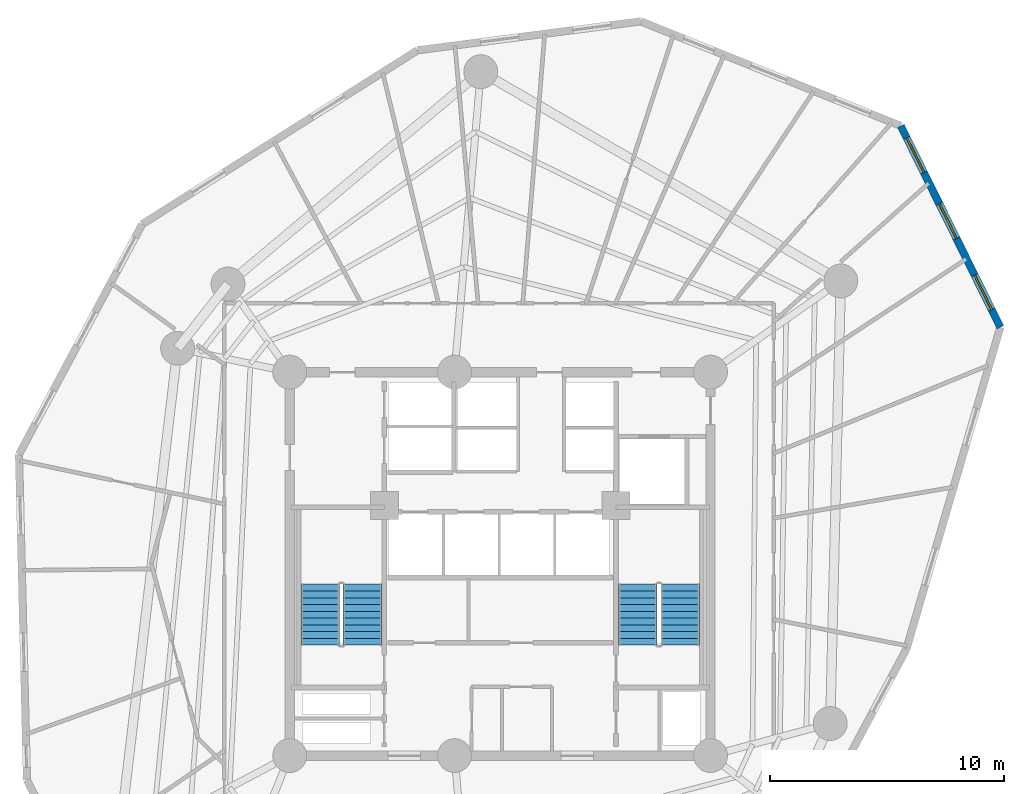
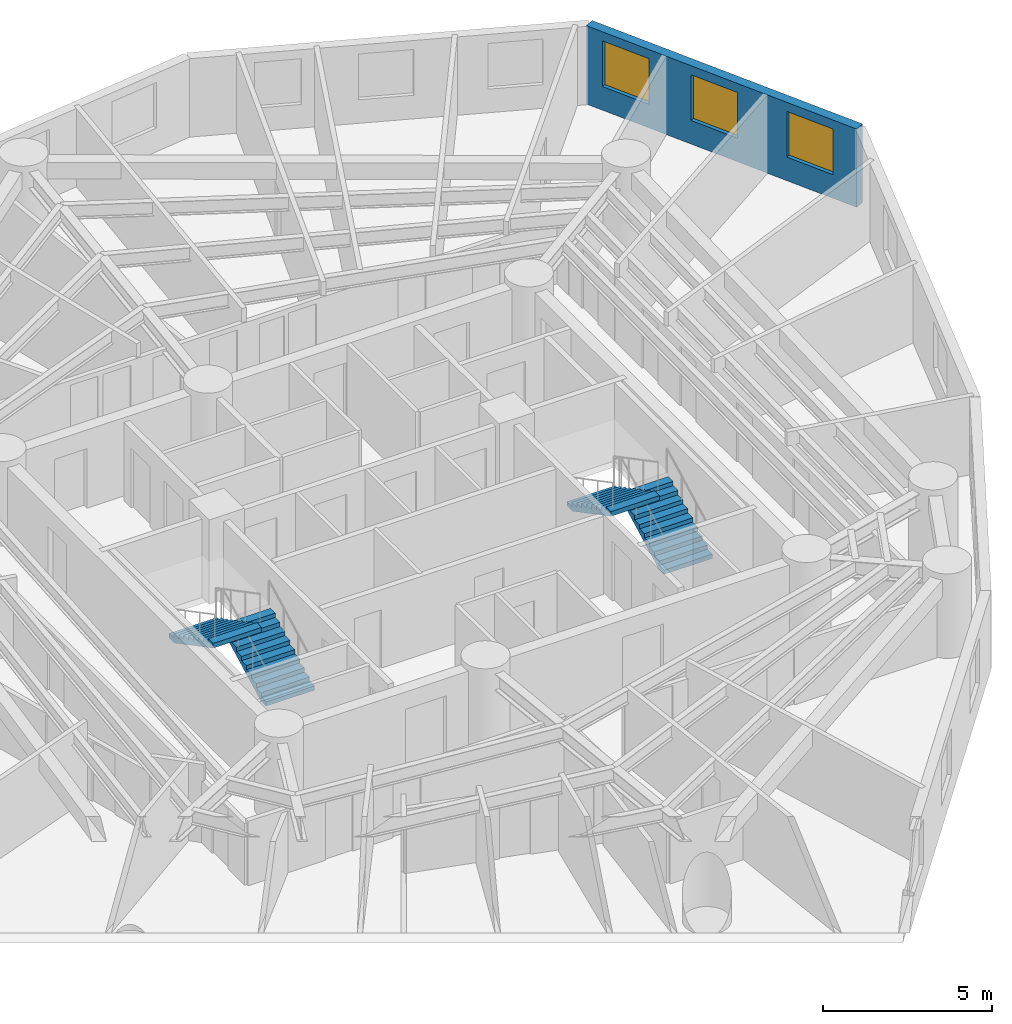
# One storey, part 7 of 8: 4 stair flights, 3 windows, 1 wall, 3 openings, 2 elements without a shape of their own.
"""IFC4 building model written with IfcOpenShell, lengths in metres."""

from ifc_helpers import new_model, si_unit, direction, frame, frame_2d, origin, origin_with_axes, place, context, subcontext, project, spatial, polyline, rectangle, outline, extrude, source, transform, mapped, material, layer, layer_set, type_object, element, fill, aggregate, save


model = new_model("IFC4")

# Units and contexts
model_context = context("Model", 3, precision=1e-05, world=origin(), true_north=direction((0.0, 1.0)))
body_context = subcontext(model_context, "Body", "Model", "MODEL_VIEW")
ifc_project = project(units=[si_unit("LENGTHUNIT", "METRE"), si_unit("AREAUNIT", "SQUARE_METRE"), si_unit("VOLUMEUNIT", "CUBIC_METRE"), si_unit("PLANEANGLEUNIT", "RADIAN"), si_unit("MASSUNIT", "GRAM", prefix="KILO")], contexts=[model_context])

# Site, building, storey
site_placement = place(None, origin())
site = spatial("IfcSite", under=ifc_project, at=site_placement, CompositionType="ELEMENT")
building_placement = place(site_placement, origin())
building = spatial("IfcBuilding", under=site, at=building_placement, Name="Karkom Vertical University and Central Library", CompositionType="ELEMENT")
storey_placement = place(building_placement, frame((0.0, 0.0, 117.550048828125)))
storey = spatial("IfcBuildingStorey", under=building, at=storey_placement, Name="L32", CompositionType="ELEMENT", Elevation=117.550048828125)

# Wall, openings, windows
ifc_material_1 = material(Name="Brick-faced precast concrete C45/55", Category="masonry")
ifc_layer = layer(ifc_material_1, 0.320068359375)
ifc_layer_set = layer_set([ifc_layer], Name="Brick-faced precast concrete C45/55")
wall_type = type_object("IfcWallType", Name="ENV-WL-BRK-320", PredefinedType="SOLIDWALL", material=ifc_layer_set)
wall_placement = place(storey_placement, frame((49.8955078125, 36.6201171875, 0.0), z_axis=(0.0, 0.0, 1.0), x_axis=(-0.443101896888, 0.896471253847, 0.0)))
wall = element("IfcWall", 1, at=wall_placement, inside=storey, type_object=wall_type, Name="Level 32 Brick-Faced Precast Facade Wall 09", PredefinedType="SOLIDWALL", context=body_context, shape_type="SweptSolid", body=[
    extrude(rectangle(XDim=9.6064453125, YDim=0.320068359375, at=frame_2d((4.80322265625, 0.0))), origin(), (0.0, 0.0, 1.0), 2.824951171875),
])
opening_1_placement = place(wall_placement, frame((0.834228515625, 0.0, 0.85009765625)))
opening_1 = element("IfcOpeningElement", 2, at=opening_1_placement, cuts=wall, Name="Opening WN-06", PredefinedType="OPENING", context=body_context, shape_type="SweptSolid", body=[
    extrude(rectangle(XDim=1.64990234375, YDim=1.64990234375, at=frame_2d((0.824951171875, 0.824951171875))), frame((0.0, 0.169921875, 0.0), z_axis=(0.0, -1.0, 0.0), x_axis=(1.0, 0.0, 0.0)), (0.0, 0.0, 1.0), 0.340087890625),
])
opening_2_placement = place(wall_placement, frame((4.239013671875, 0.0, 0.85009765625)))
opening_2 = element("IfcOpeningElement", 3, at=opening_2_placement, cuts=wall, Name="Opening WN-06", PredefinedType="OPENING", context=body_context, shape_type="SweptSolid", body=[
    extrude(rectangle(XDim=1.64990234375, YDim=1.64990234375, at=frame_2d((0.824951171875, 0.824951171875))), frame((0.0, 0.169921875, 0.0), z_axis=(0.0, -1.0, 0.0), x_axis=(1.0, 0.0, 0.0)), (0.0, 0.0, 1.0), 0.340087890625),
])
opening_3_placement = place(wall_placement, frame((7.3828125, 0.0, 0.85009765625)))
opening_3 = element("IfcOpeningElement", 4, at=opening_3_placement, cuts=wall, Name="Opening WN-06", PredefinedType="OPENING", context=body_context, shape_type="SweptSolid", body=[
    extrude(rectangle(XDim=1.64990234375, YDim=1.64990234375, at=frame_2d((0.824951171875, 0.824951171875))), frame((0.0, 0.169921875, 0.0), z_axis=(0.0, -1.0, 0.0), x_axis=(1.0, 0.0, 0.0)), (0.0, 0.0, 1.0), 0.340087890625),
])
ifc_material_2 = material(Name="Aluminium thermal-break frame with solar-control IGU", Category="aluminium")
window_type = type_object("IfcWindowType", Name="ENV-WIN-WN-06", PartitioningType="SINGLE_PANEL", PredefinedType="WINDOW", material=ifc_material_2)
shared_shape = source(origin_with_axes(), body_context, "Body", "SweptSolid", [
    extrude(rectangle(XDim=1.64990234375, YDim=1.64990234375, at=frame_2d((0.824951171875, 0.824951171875))), frame((0.0, 0.030029296875, 0.0), z_axis=(0.0, -1.0, 0.0), x_axis=(1.0, 0.0, 0.0)), (0.0, 0.0, 1.0), 0.06005859375),
])
window_1_placement = place(opening_1_placement, origin())
window_1 = element("IfcWindow", 5, at=window_1_placement, inside=storey, type_object=window_type, Name="Level 32 Punched Window 9.1", OverallHeight=1.64990234375, OverallWidth=1.64990234375, PartitioningType="SINGLE_PANEL", PredefinedType="WINDOW", context=body_context, shape_type="MappedRepresentation", body=[
    mapped(shared_shape, transform((0.0, 0.0, 0.0), scale=1.0)),
])
fill(opening_1, window_1)
window_2_placement = place(opening_2_placement, origin())
window_2 = element("IfcWindow", 6, at=window_2_placement, inside=storey, type_object=window_type, Name="Level 32 Punched Window 9.2", OverallHeight=1.64990234375, OverallWidth=1.64990234375, PartitioningType="SINGLE_PANEL", PredefinedType="WINDOW", context=body_context, shape_type="MappedRepresentation", body=[
    mapped(shared_shape, transform((0.0, 0.0, 0.0), scale=1.0)),
])
fill(opening_2, window_2)
window_3_placement = place(opening_3_placement, origin())
window_3 = element("IfcWindow", 7, at=window_3_placement, inside=storey, type_object=window_type, Name="Level 32 Punched Window 9.3", OverallHeight=1.64990234375, OverallWidth=1.64990234375, PartitioningType="SINGLE_PANEL", PredefinedType="WINDOW", context=body_context, shape_type="MappedRepresentation", body=[
    mapped(shared_shape, transform((0.0, 0.0, 0.0), scale=1.0)),
])
fill(opening_3, window_3)

# Stair, stair flights
ifc_material_3 = material(Name="Concrete C45/55", Category="concrete")
stair_type = type_object("IfcStairType", Name="INT-STR-ST-MAIN", PredefinedType="HALF_TURN_STAIR", material=ifc_material_3)
stair_1_placement = place(storey_placement, origin())
stair_1 = element("IfcStair", 8, at=stair_1_placement, inside=storey, type_object=stair_type, Name="Level 32 Tower Protected Exit Stair ST-1", PredefinedType="HALF_TURN_STAIR")
stair_flight_type = type_object("IfcStairFlightType", Name="INT-SFL-ST-MAIN", PredefinedType="STRAIGHT", material=ifc_material_3)
stair_flight_1_placement = place(storey_placement, frame((22.614990234375, 23.02001953125, 0.0), z_axis=(0.0, 0.0, 1.0), x_axis=(0.0, 1.0, 0.0)))
stair_flight_1 = element("IfcStairFlight", 9, at=stair_flight_1_placement, type_object=stair_flight_type, Name="ST-1 flight 1", NumberOfRisers=10, NumberOfTreads=9, PredefinedType="STRAIGHT", RiserHeight=0.1525, TreadLength=0.29, context=body_context, shape_type="SweptSolid", body=[
    extrude(outline(polyline([(0.0, 0.0), (0.0, 0.152587890625), (0.2900390625, 0.152587890625), (0.2900390625, 0.304931640625), (0.580078125, 0.304931640625), (0.580078125, 0.45751953125), (0.8701171875, 0.45751953125), (0.8701171875, 0.610107421875), (1.159912109375, 0.610107421875), (1.159912109375, 0.762451171875), (1.449951171875, 0.762451171875), (1.449951171875, 0.9150390625), (1.739990234375, 0.9150390625), (1.739990234375, 1.0673828125), (2.030029296875, 1.0673828125), (2.030029296875, 1.219970703125), (2.320068359375, 1.219970703125), (2.320068359375, 1.37255859375), (2.610107421875, 1.37255859375), (2.610107421875, 1.52490234375), (2.610107421875, 1.203125), (0.322021484375, 0.0), (0.0, 0.0)])), frame((0.0, 0.824951171875, 0.0), z_axis=(0.0, -1.0, 0.0), x_axis=(1.0, 0.0, 0.0)), (0.0, 0.0, 1.0), 1.64990234375),
])
stair_flight_2_placement = place(storey_placement, frame((20.804931640625, 25.6298828125, 1.52490234375), z_axis=(0.0, 0.0, 1.0), x_axis=(0.0, -1.0, 0.0)))
stair_flight_2 = element("IfcStairFlight", 10, at=stair_flight_2_placement, type_object=stair_flight_type, Name="ST-1 flight 2", NumberOfRisers=10, NumberOfTreads=9, PredefinedType="STRAIGHT", RiserHeight=0.1525, TreadLength=0.29, context=body_context, shape_type="SweptSolid", body=[
    extrude(outline(polyline([(0.0, 0.0), (0.0, 0.152587890625), (0.2900390625, 0.152587890625), (0.2900390625, 0.304931640625), (0.580078125, 0.304931640625), (0.580078125, 0.45751953125), (0.8701171875, 0.45751953125), (0.8701171875, 0.610107421875), (1.159912109375, 0.610107421875), (1.159912109375, 0.762451171875), (1.449951171875, 0.762451171875), (1.449951171875, 0.9150390625), (1.739990234375, 0.9150390625), (1.739990234375, 1.0673828125), (2.030029296875, 1.0673828125), (2.030029296875, 1.219970703125), (2.320068359375, 1.219970703125), (2.320068359375, 1.37255859375), (2.610107421875, 1.37255859375), (2.610107421875, 1.52490234375), (2.610107421875, 1.203125), (0.322021484375, 0.0), (0.0, 0.0)])), frame((0.0, 0.824951171875, 0.0), z_axis=(0.0, -1.0, 0.0), x_axis=(1.0, 0.0, 0.0)), (0.0, 0.0, 1.0), 1.64990234375),
])
aggregate(stair_1, [stair_flight_1, stair_flight_2])

stair_2_placement = place(storey_placement, origin())
stair_2 = element("IfcStair", 11, at=stair_2_placement, inside=storey, type_object=stair_type, Name="Level 32 Tower Protected Exit Stair ST-2", PredefinedType="HALF_TURN_STAIR")
stair_flight_3_placement = place(storey_placement, frame((36.195068359375, 23.02001953125, 0.0), z_axis=(0.0, 0.0, 1.0), x_axis=(0.0, 1.0, 0.0)))
stair_flight_3 = element("IfcStairFlight", 12, at=stair_flight_3_placement, type_object=stair_flight_type, Name="ST-2 flight 1", NumberOfRisers=10, NumberOfTreads=9, PredefinedType="STRAIGHT", RiserHeight=0.1525, TreadLength=0.29, context=body_context, shape_type="SweptSolid", body=[
    extrude(outline(polyline([(0.0, 0.0), (0.0, 0.152587890625), (0.2900390625, 0.152587890625), (0.2900390625, 0.304931640625), (0.580078125, 0.304931640625), (0.580078125, 0.45751953125), (0.8701171875, 0.45751953125), (0.8701171875, 0.610107421875), (1.159912109375, 0.610107421875), (1.159912109375, 0.762451171875), (1.449951171875, 0.762451171875), (1.449951171875, 0.9150390625), (1.739990234375, 0.9150390625), (1.739990234375, 1.0673828125), (2.030029296875, 1.0673828125), (2.030029296875, 1.219970703125), (2.320068359375, 1.219970703125), (2.320068359375, 1.37255859375), (2.610107421875, 1.37255859375), (2.610107421875, 1.52490234375), (2.610107421875, 1.203125), (0.322021484375, 0.0), (0.0, 0.0)])), frame((0.0, 0.824951171875, 0.0), z_axis=(0.0, -1.0, 0.0), x_axis=(1.0, 0.0, 0.0)), (0.0, 0.0, 1.0), 1.64990234375),
])
stair_flight_4_placement = place(storey_placement, frame((34.385009765625, 25.6298828125, 1.52490234375), z_axis=(0.0, 0.0, 1.0), x_axis=(0.0, -1.0, 0.0)))
stair_flight_4 = element("IfcStairFlight", 13, at=stair_flight_4_placement, type_object=stair_flight_type, Name="ST-2 flight 2", NumberOfRisers=10, NumberOfTreads=9, PredefinedType="STRAIGHT", RiserHeight=0.1525, TreadLength=0.29, context=body_context, shape_type="SweptSolid", body=[
    extrude(outline(polyline([(0.0, 0.0), (0.0, 0.152587890625), (0.2900390625, 0.152587890625), (0.2900390625, 0.304931640625), (0.580078125, 0.304931640625), (0.580078125, 0.45751953125), (0.8701171875, 0.45751953125), (0.8701171875, 0.610107421875), (1.159912109375, 0.610107421875), (1.159912109375, 0.762451171875), (1.449951171875, 0.762451171875), (1.449951171875, 0.9150390625), (1.739990234375, 0.9150390625), (1.739990234375, 1.0673828125), (2.030029296875, 1.0673828125), (2.030029296875, 1.219970703125), (2.320068359375, 1.219970703125), (2.320068359375, 1.37255859375), (2.610107421875, 1.37255859375), (2.610107421875, 1.52490234375), (2.610107421875, 1.203125), (0.322021484375, 0.0), (0.0, 0.0)])), frame((0.0, 0.824951171875, 0.0), z_axis=(0.0, -1.0, 0.0), x_axis=(1.0, 0.0, 0.0)), (0.0, 0.0, 1.0), 1.64990234375),
])
aggregate(stair_2, [stair_flight_3, stair_flight_4])

save(model, "model.ifc")
